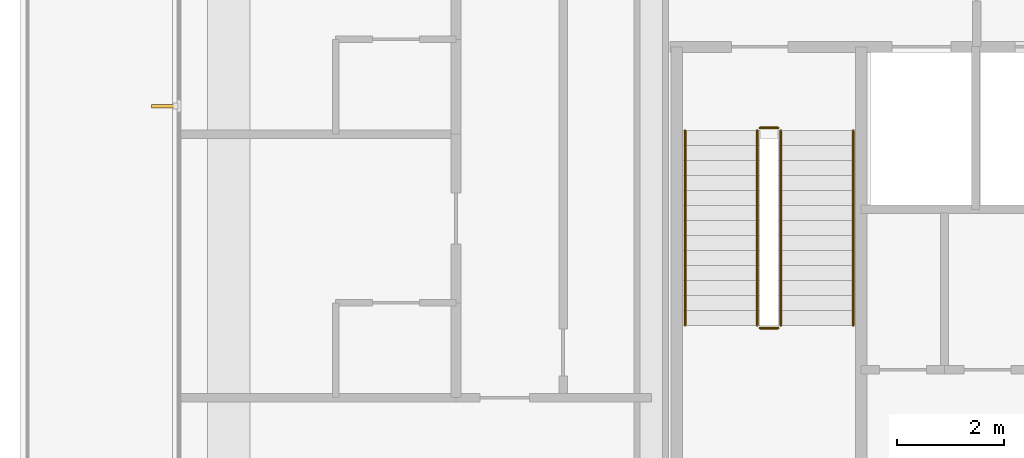
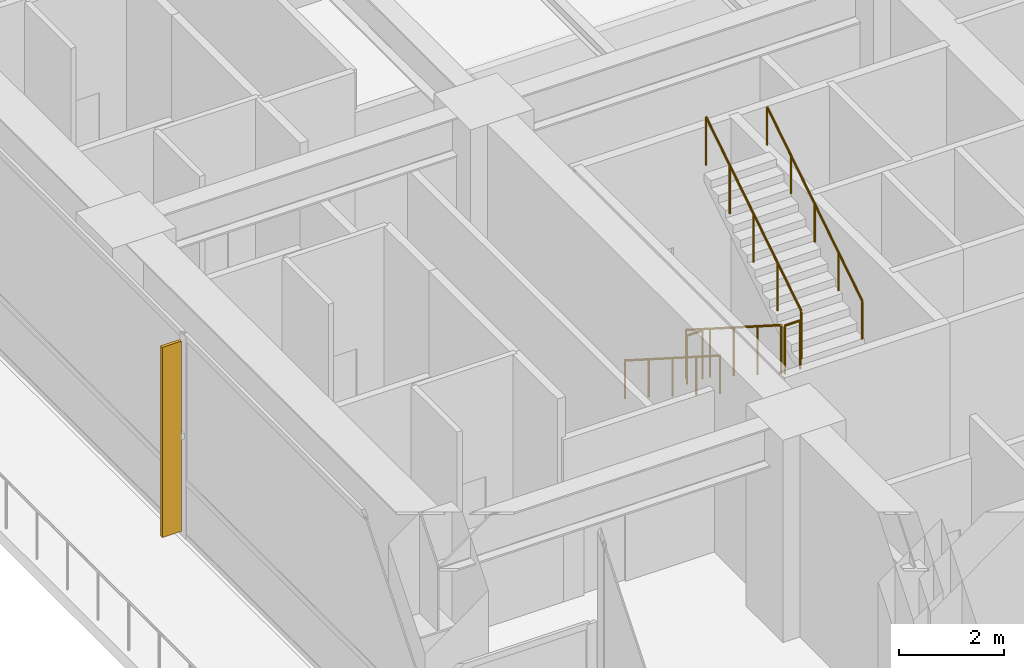
# One storey, part 16 of 19: 6 railings, 1 shading device.
"""IFC4 building model written with IfcOpenShell, lengths in metres."""

import ifcopenshell
import ifcopenshell.guid

model = None  # the IFC model being written
_history = None  # IfcOwnerHistory: only IFC2X3 demands one
_inside = {}  # id of a spatial element -> (the spatial element, [elements in it])
_under = {}  # id of a project, library or spatial element -> (it, [spatial elements below it])
_declared = {}  # id of a project -> (the project, [libraries it declares])
_typed = {}  # id of a type object -> (the type object, [elements of that type])
_made_of = {}  # id of a material, layer set ... -> (it, [elements and type objects made of it])


def new_model(schema):
    """Start an empty IFC model of exactly this schema.

    Asked for "IFC4X3", IfcOpenShell would pick the latest addendum, in which some entities
    have other attributes; the version numbers below select the first issue.
    IFC2X3 requires an IfcOwnerHistory on every rooted entity: one is made here for all.
    """
    global model, _history
    if schema == "IFC4X3":
        model = ifcopenshell.file(schema_version=(4, 3, 0, 0))
    else:
        model = ifcopenshell.file(schema=schema)
    _inside.clear()
    _under.clear()
    _declared.clear()
    _typed.clear()
    _made_of.clear()
    _history = None
    if model.schema == "IFC2X3":
        org = make("IfcOrganization", Name="unknown")
        user = make(
            "IfcPersonAndOrganization",
            ThePerson=make("IfcPerson", FamilyName="unknown"),
            TheOrganization=org,
        )
        app = make(
            "IfcApplication",
            ApplicationDeveloper=org,
            Version="unknown",
            ApplicationFullName="unknown",
            ApplicationIdentifier="unknown",
        )
        _history = make(
            "IfcOwnerHistory",
            OwningUser=user,
            OwningApplication=app,
            ChangeAction="ADDED",
            CreationDate=0,
        )
    return model


def make(cls, **values):
    """One entity of the class cls with the attributes given. An attribute that is None is left unset."""
    return model.create_entity(
        cls, **{name: value for name, value in values.items() if value is not None}
    )


def rooted(cls, **values):
    """An entity with a GlobalId (a new one), such as an element, a storey or a relation."""
    return make(cls, GlobalId=ifcopenshell.guid.new(), OwnerHistory=_history, **values)


def si_unit(unit_type, name, prefix=None):
    """IfcSIUnit, for example si_unit("LENGTHUNIT", "METRE", prefix="MILLI")."""
    return make("IfcSIUnit", UnitType=unit_type, Prefix=prefix, Name=name)


def assignment(units):
    """IfcUnitAssignment: the units of a project."""
    return None if units is None else make("IfcUnitAssignment", Units=units)


def point(xyz):
    """IfcCartesianPoint."""
    return None if xyz is None else make("IfcCartesianPoint", Coordinates=xyz)


def direction(xyz):
    """IfcDirection."""
    return None if xyz is None else make("IfcDirection", DirectionRatios=xyz)


def frame(location, z_axis=None, x_axis=None):
    """IfcAxis2Placement3D, a coordinate frame: its origin and axes. An axis left out is left unset."""
    return make(
        "IfcAxis2Placement3D",
        Location=point(location),
        Axis=direction(z_axis),
        RefDirection=direction(x_axis),
    )


def frame_2d(location, x_axis=None):
    """IfcAxis2Placement2D, a coordinate frame in the plane: its origin and x axis."""
    return make(
        "IfcAxis2Placement2D", Location=point(location), RefDirection=direction(x_axis)
    )


def origin():
    """The frame at (0, 0, 0) with its axes left unset."""
    return frame((0.0, 0.0, 0.0))


def origin_2d():
    """The frame at (0, 0) in the plane with its x axis left unset."""
    return frame_2d((0.0, 0.0))


def place(relative_to, where):
    """IfcLocalPlacement: puts the frame where relative to a parent placement (None: the world)."""
    return make(
        "IfcLocalPlacement", PlacementRelTo=relative_to, RelativePlacement=where
    )


def context(
    kind, dimensions, precision=None, world=None, true_north=None, identifier=None
):
    """IfcGeometricRepresentationContext, for example the 3D "Model" context."""
    return make(
        "IfcGeometricRepresentationContext",
        ContextIdentifier=identifier,
        ContextType=kind,
        CoordinateSpaceDimension=dimensions,
        Precision=precision,
        WorldCoordinateSystem=world,
        TrueNorth=true_north,
    )


def subcontext(parent, identifier, kind, view, scale=None):
    """IfcGeometricRepresentationSubContext, for example "Body" below "Model"."""
    return make(
        "IfcGeometricRepresentationSubContext",
        ContextIdentifier=identifier,
        ContextType=kind,
        ParentContext=parent,
        TargetScale=scale,
        TargetView=view,
    )


def project(units=None, contexts=None):
    """IfcProject with its units and contexts."""
    return rooted(
        "IfcProject",
        Name="project",
        RepresentationContexts=contexts,
        UnitsInContext=assignment(units),
    )


def spatial(cls, under=None, at=None, **own):
    """A site, building, storey or space (cls), placed at a placement, below another one or the project."""
    s = rooted(cls, ObjectPlacement=at, **own)
    if under is not None:
        _under.setdefault(under.id(), (under, []))[1].append(s)
    return s


def polyline(points):
    """IfcPolyline through the points."""
    return make("IfcPolyline", Points=[point(p) for p in points])


def profile(cls, at=None, kind="AREA", **sizes):
    """A parametric profile (cls). Its sizes go by their IFC names, for example OverallWidth=200.0."""
    return make(cls, ProfileType=kind, Position=at, **sizes)


def circle(**sizes):
    """IfcCircleProfileDef."""
    return profile("IfcCircleProfileDef", **sizes)


def outline(outer, holes=None, kind="AREA"):
    """IfcArbitraryClosedProfileDef: a profile drawn as a closed curve; with holes, ...WithVoids."""
    if holes is None:
        return make("IfcArbitraryClosedProfileDef", ProfileType=kind, OuterCurve=outer)
    return make(
        "IfcArbitraryProfileDefWithVoids",
        ProfileType=kind,
        OuterCurve=outer,
        InnerCurves=holes,
    )


def extrude(swept, where, along, depth):
    """IfcExtrudedAreaSolid: the profile swept, set in the frame where, extruded along a direction by depth."""
    return make(
        "IfcExtrudedAreaSolid",
        SweptArea=swept,
        Position=where,
        ExtrudedDirection=direction(along),
        Depth=depth,
    )


def shape(context_of_items, identifier, shape_type, items):
    """IfcShapeRepresentation: the items that make up one representation, for example the "Body"."""
    return make(
        "IfcShapeRepresentation",
        ContextOfItems=context_of_items,
        RepresentationIdentifier=identifier,
        RepresentationType=shape_type,
        Items=items,
    )


def material(Name=None, Category=None):
    """IfcMaterial."""
    return make("IfcMaterial", Name=Name, Category=Category)


def layer(
    of_material, thickness, ventilated=None, Name=None, Category=None, Priority=None
):
    """IfcMaterialLayer: one layer of a wall or slab, of a material (None: an air gap)."""
    return make(
        "IfcMaterialLayer",
        Material=of_material,
        LayerThickness=thickness,
        IsVentilated=ventilated,
        Name=Name,
        Category=Category,
        Priority=Priority,
    )


def layer_set(layers, Name=None):
    """IfcMaterialLayerSet."""
    return make("IfcMaterialLayerSet", MaterialLayers=layers, LayerSetName=Name)


def made_of(thing, what):
    """Note that an element or type object is made of a material, layer set ...; save() writes the relation."""
    if what is not None:
        _made_of.setdefault(what.id(), (what, []))[1].append(thing)
    return thing


def type_object(cls, material=None, **own):
    """A type object (cls), such as IfcWallType, which elements share."""
    return made_of(rooted(cls, **own), material)


def element(
    cls,
    number,
    at=None,
    inside=None,
    cuts=None,
    type_object=None,
    material=None,
    context=None,
    identifier="Body",
    shape_type=None,
    held_by="IfcProductDefinitionShape",
    body=None,
    shapes=None,
    **own,
):
    """One element of the class cls, such as IfcWall. Its Tag is "e" and its number.

    at: its placement. inside: the storey or other place that contains it. cuts: it is an
    opening in that element (IfcRelVoidsElement). A single representation is given by context,
    identifier, shape_type and body (its items); several are given by shapes. held_by: the class
    of the entity that holds the representations. save() writes the other relations.
    """
    e = rooted(cls, Tag="e%d" % number, ObjectPlacement=at, **own)
    if body is not None:
        shapes = [shape(context, identifier, shape_type, body)]
    if shapes is not None:
        e.Representation = make(held_by, Representations=shapes)
    if inside is not None:
        _inside.setdefault(inside.id(), (inside, []))[1].append(e)
    if cuts is not None:
        rooted(
            "IfcRelVoidsElement", RelatingBuildingElement=cuts, RelatedOpeningElement=e
        )
    if type_object is not None:
        _typed.setdefault(type_object.id(), (type_object, []))[1].append(e)
    return made_of(e, material)


def aggregate(whole, parts):
    """IfcRelAggregates: a whole, such as a stair, and the parts it consists of."""
    return rooted("IfcRelAggregates", RelatingObject=whole, RelatedObjects=parts)


def save(model, path):
    """Write the relations noted so far, then the file.

    IfcRelAggregates (storeys below a building ...), IfcRelContainedInSpatialStructure (elements
    in a storey), IfcRelDefinesByType, IfcRelAssociatesMaterial and IfcRelDeclares: one each for
    every whole, place, type object, material and project.
    """
    for whole, parts in _under.values():
        aggregate(whole, parts)
    for where, things in _inside.values():
        rooted(
            "IfcRelContainedInSpatialStructure",
            RelatedElements=things,
            RelatingStructure=where,
        )
    for kind, things in _typed.values():
        rooted("IfcRelDefinesByType", RelatedObjects=things, RelatingType=kind)
    for what, things in _made_of.values():
        rooted("IfcRelAssociatesMaterial", RelatedObjects=things, RelatingMaterial=what)
    for by, libraries in _declared.values():
        rooted("IfcRelDeclares", RelatingContext=by, RelatedDefinitions=libraries)
    model.write(path)


model = new_model("IFC4")

# Units and contexts
model_context = context("Model", 3, precision=1e-05, world=origin(), true_north=direction((0.0, 1.0)))
body_context = subcontext(model_context, "Body", "Model", "MODEL_VIEW")
ifc_project = project(units=[si_unit("LENGTHUNIT", "METRE"), si_unit("AREAUNIT", "SQUARE_METRE"), si_unit("VOLUMEUNIT", "CUBIC_METRE"), si_unit("PLANEANGLEUNIT", "RADIAN"), si_unit("MASSUNIT", "GRAM", prefix="KILO")], contexts=[model_context])

# Site, building, storey
site_placement = place(None, origin())
site = spatial("IfcSite", under=ifc_project, at=site_placement, CompositionType="ELEMENT")
building_placement = place(site_placement, origin())
building = spatial("IfcBuilding", under=site, at=building_placement, Name="Qalmaran Belvedere Hotel", CompositionType="ELEMENT")
storey_placement = place(building_placement, frame((0.0, 0.0, 28.39990234375)))
storey = spatial("IfcBuildingStorey", under=building, at=storey_placement, Name="L06", CompositionType="ELEMENT", Elevation=28.39990234375)

# Shading device
ifc_material_1 = material(Name="Anodised Bronze Aluminium", Category="aluminium")
ifc_layer = layer(ifc_material_1, 0.06494140625, Name="Anodised Bronze Aluminium")
ifc_layer_set = layer_set([ifc_layer], Name="Anodised Bronze Aluminium")
shading_device_type = type_object("IfcShadingDeviceType", Name="FIN-BRNZ-420", PredefinedType="USERDEFINED", material=ifc_layer_set)
shading_device_placement = place(storey_placement, frame((0.0, 0.0, 0.16015625)))
element("IfcShadingDevice", 1, at=shading_device_placement, inside=storey, type_object=shading_device_type, Name="L06 Bronze Fin 3", ObjectType="FIN", PredefinedType="USERDEFINED", context=body_context, shape_type="SweptSolid", body=[
    extrude(outline(polyline([(11.37744140625, 16.6826171875), (10.95751953125, 16.6826171875), (10.95751953125, 16.617431640625), (11.37744140625, 16.617431640625), (11.37744140625, 16.6826171875)])), origin(), (0.0, 0.0, 1.0), 4.43994140625),
])

# Railings
ifc_material_2 = material(Name="Stainless Steel 1.4401", Category="steel")
railing_type_1 = type_object("IfcRailingType", Name="RLG-STAIR-GUARD-1150", PredefinedType="GUARDRAIL", material=ifc_material_2)
railing_1_placement = place(storey_placement, frame((22.280029296875, 16.18994140625, 0.1787109375)))
element("IfcRailing", 2, at=railing_1_placement, inside=storey, type_object=railing_type_1, Name="L06 ST-1 stair guard 1", PredefinedType="GUARDRAIL", context=body_context, shape_type="SweptSolid", body=[
    extrude(circle(Radius=0.02392578125, at=origin_2d()), frame((0.0, 0.0, 1.1259765625), z_axis=(0.0, -0.843137146238, 0.537698570422), x_axis=(1.0, 0.0, 0.0)), (0.0, 0.0, 1.0), 4.317138671875),
    extrude(circle(Radius=0.02099609375, at=origin_2d()), origin(), (0.0, 0.0, 1.0), 1.101806640625),
    extrude(circle(Radius=0.02099609375, at=origin_2d()), frame((0.0, -0.909912109375, 0.580322265625)), (0.0, 0.0, 1.0), 1.101806640625),
    extrude(circle(Radius=0.02099609375, at=origin_2d()), frame((0.0, -1.81982421875, 1.16064453125)), (0.0, 0.0, 1.0), 1.101806640625),
    extrude(circle(Radius=0.02099609375, at=origin_2d()), frame((0.0, -2.72998046875, 1.740966796875)), (0.0, 0.0, 1.0), 1.101806640625),
    extrude(circle(Radius=0.02099609375, at=origin_2d()), frame((0.0, -3.639892578125, 2.3212890625)), (0.0, 0.0, 1.0), 1.101806640625),
])
railing_2_placement = place(storey_placement, frame((22.330078125, 12.5, 2.5)))
element("IfcRailing", 3, at=railing_2_placement, inside=storey, type_object=railing_type_1, Name="L06 ST-1 stair guard 2", PredefinedType="GUARDRAIL", context=body_context, shape_type="SweptSolid", body=[
    extrude(circle(Radius=0.02392578125, at=origin_2d()), frame((0.0, 0.0, 1.1259765625), z_axis=(1.0, 0.0, 0.0), x_axis=(0.0, 1.0, 0.0)), (0.0, 0.0, 1.0), 0.33984375),
    extrude(circle(Radius=0.02099609375, at=origin_2d()), origin(), (0.0, 0.0, 1.0), 1.101806640625),
    extrude(circle(Radius=0.02099609375, at=origin_2d()), frame((0.33984375, 0.0, 0.0)), (0.0, 0.0, 1.0), 1.101806640625),
])
railing_3_placement = place(storey_placement, frame((22.719970703125, 12.550048828125, 2.6787109375)))
element("IfcRailing", 4, at=railing_3_placement, inside=storey, type_object=railing_type_1, Name="L06 ST-1 stair guard 3", PredefinedType="GUARDRAIL", context=body_context, shape_type="SweptSolid", body=[
    extrude(circle(Radius=0.02392578125, at=origin_2d()), frame((0.0, 0.0, 1.1259765625), z_axis=(0.0, 0.843137146238, 0.537698570422), x_axis=(-1.0, 0.0, 0.0)), (0.0, 0.0, 1.0), 4.317138671875),
    extrude(circle(Radius=0.02099609375, at=origin_2d()), origin(), (0.0, 0.0, 1.0), 1.101806640625),
    extrude(circle(Radius=0.02099609375, at=origin_2d()), frame((0.0, 0.909912109375, 0.580322265625)), (0.0, 0.0, 1.0), 1.101806640625),
    extrude(circle(Radius=0.02099609375, at=origin_2d()), frame((0.0, 1.81982421875, 1.16064453125)), (0.0, 0.0, 1.0), 1.101806640625),
    extrude(circle(Radius=0.02099609375, at=origin_2d()), frame((0.0, 2.72998046875, 1.740966796875)), (0.0, 0.0, 1.0), 1.101806640625),
    extrude(circle(Radius=0.02099609375, at=origin_2d()), frame((0.0, 3.639892578125, 2.3212890625)), (0.0, 0.0, 1.0), 1.101806640625),
])
railing_4_placement = place(storey_placement, frame((22.330078125, 16.239990234375, 0.0)))
element("IfcRailing", 5, at=railing_4_placement, inside=storey, type_object=railing_type_1, Name="L06 ST-1 stair guard 4", PredefinedType="GUARDRAIL", context=body_context, shape_type="SweptSolid", body=[
    extrude(circle(Radius=0.02392578125, at=origin_2d()), frame((0.0, 0.0, 1.1259765625), z_axis=(1.0, 0.0, 0.0), x_axis=(0.0, 1.0, 0.0)), (0.0, 0.0, 1.0), 0.33984375),
    extrude(circle(Radius=0.02099609375, at=origin_2d()), origin(), (0.0, 0.0, 1.0), 1.101806640625),
    extrude(circle(Radius=0.02099609375, at=origin_2d()), frame((0.33984375, 0.0, 0.0)), (0.0, 0.0, 1.0), 1.101806640625),
])
railing_type_2 = type_object("IfcRailingType", Name="RLG-STAIR-HAND-910", PredefinedType="HANDRAIL", material=ifc_material_2)
railing_5_placement = place(storey_placement, frame((20.929931640625, 16.18994140625, 0.1787109375)))
element("IfcRailing", 6, at=railing_5_placement, inside=storey, type_object=railing_type_2, Name="L06 ST-1 stair handrail 1", PredefinedType="HANDRAIL", context=body_context, shape_type="SweptSolid", body=[
    extrude(circle(Radius=0.02392578125, at=origin_2d()), frame((0.0, 0.0, 0.8857421875), z_axis=(0.0, -0.843137146238, 0.537698570422), x_axis=(1.0, 0.0, 0.0)), (0.0, 0.0, 1.0), 4.317138671875),
    extrude(circle(Radius=0.02099609375, at=origin_2d()), origin(), (0.0, 0.0, 1.0), 0.86181640625),
    extrude(circle(Radius=0.02099609375, at=origin_2d()), frame((0.0, -0.909912109375, 0.580322265625)), (0.0, 0.0, 1.0), 0.86181640625),
    extrude(circle(Radius=0.02099609375, at=origin_2d()), frame((0.0, -1.81982421875, 1.16064453125)), (0.0, 0.0, 1.0), 0.86181640625),
    extrude(circle(Radius=0.02099609375, at=origin_2d()), frame((0.0, -2.72998046875, 1.740966796875)), (0.0, 0.0, 1.0), 0.86181640625),
    extrude(circle(Radius=0.02099609375, at=origin_2d()), frame((0.0, -3.639892578125, 2.3212890625)), (0.0, 0.0, 1.0), 0.86181640625),
])
railing_6_placement = place(storey_placement, frame((24.070068359375, 12.550048828125, 2.6787109375)))
element("IfcRailing", 7, at=railing_6_placement, inside=storey, type_object=railing_type_2, Name="L06 ST-1 stair handrail 2", PredefinedType="HANDRAIL", context=body_context, shape_type="SweptSolid", body=[
    extrude(circle(Radius=0.02392578125, at=origin_2d()), frame((0.0, 0.0, 0.8857421875), z_axis=(0.0, 0.843137146238, 0.537698570422), x_axis=(-1.0, 0.0, 0.0)), (0.0, 0.0, 1.0), 4.317138671875),
    extrude(circle(Radius=0.02099609375, at=origin_2d()), origin(), (0.0, 0.0, 1.0), 0.86181640625),
    extrude(circle(Radius=0.02099609375, at=origin_2d()), frame((0.0, 0.909912109375, 0.580322265625)), (0.0, 0.0, 1.0), 0.86181640625),
    extrude(circle(Radius=0.02099609375, at=origin_2d()), frame((0.0, 1.81982421875, 1.16064453125)), (0.0, 0.0, 1.0), 0.86181640625),
    extrude(circle(Radius=0.02099609375, at=origin_2d()), frame((0.0, 2.72998046875, 1.740966796875)), (0.0, 0.0, 1.0), 0.86181640625),
    extrude(circle(Radius=0.02099609375, at=origin_2d()), frame((0.0, 3.639892578125, 2.3212890625)), (0.0, 0.0, 1.0), 0.86181640625),
])

save(model, "model.ifc")
